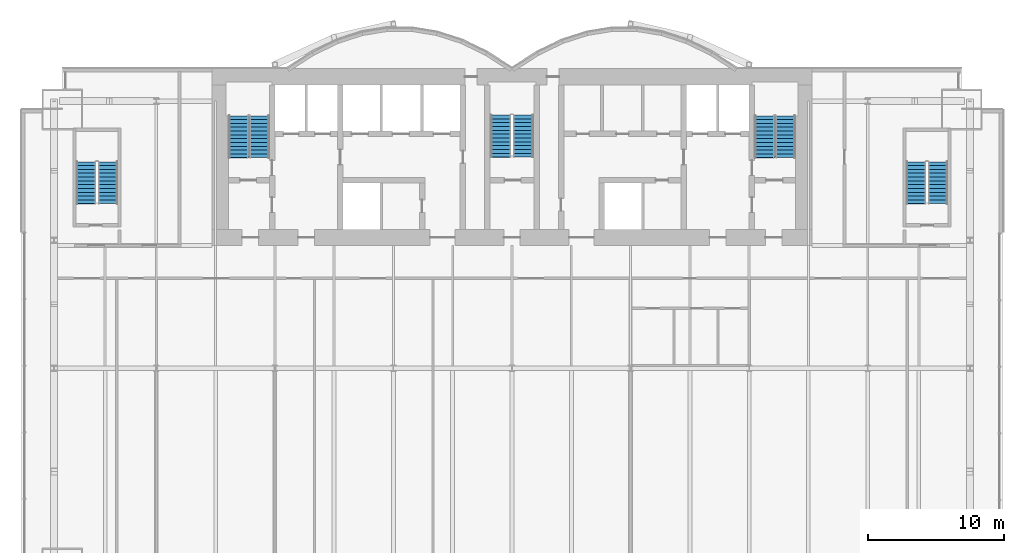
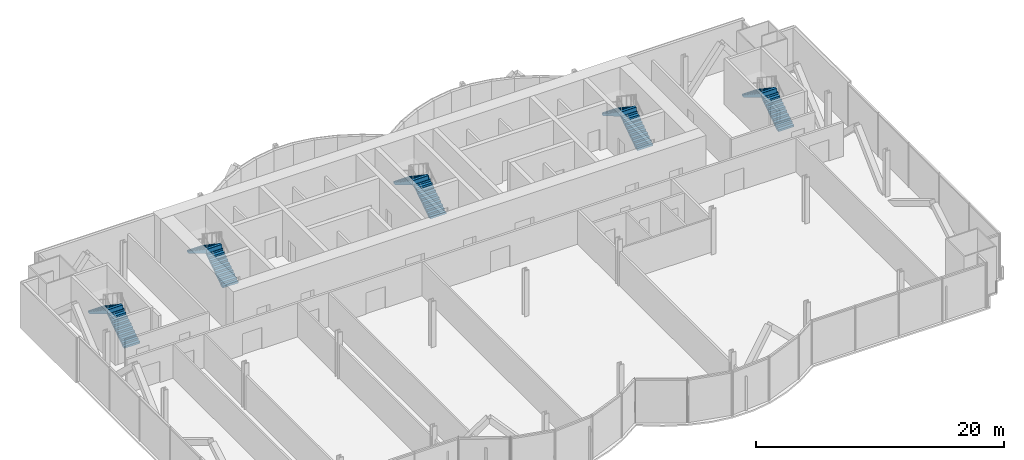
# One storey, part 18 of 21: 10 stair flights, 5 elements without a shape of their own.
"""IFC4 building model written with IfcOpenShell, lengths in metres."""

from ifc_helpers import new_model, si_unit, direction, frame, origin, place, context, subcontext, project, spatial, polyline, outline, extrude, material, type_object, element, aggregate, save


model = new_model("IFC4")

# Units and contexts
model_context = context("Model", 3, precision=1e-05, world=origin(), true_north=direction((0.0, 1.0)))
body_context = subcontext(model_context, "Body", "Model", "MODEL_VIEW")
ifc_project = project(units=[si_unit("LENGTHUNIT", "METRE"), si_unit("AREAUNIT", "SQUARE_METRE"), si_unit("VOLUMEUNIT", "CUBIC_METRE"), si_unit("PLANEANGLEUNIT", "RADIAN"), si_unit("MASSUNIT", "GRAM", prefix="KILO")], contexts=[model_context])

# Site, building, storey
site_placement = place(None, origin())
site = spatial("IfcSite", under=ifc_project, at=site_placement, CompositionType="ELEMENT")
building_placement = place(site_placement, origin())
building = spatial("IfcBuilding", under=site, at=building_placement, Name="Bicima Exchange Tower", CompositionType="ELEMENT")
storey_placement = place(building_placement, frame((0.0, 0.0, 75.5)))
storey = spatial("IfcBuildingStorey", under=building, at=storey_placement, Name="L15", CompositionType="ELEMENT", Elevation=75.5)

# Stair, stair flights
ifc_material = material(Name="Concrete C50/60", Category="concrete")
stair_type_1 = type_object("IfcStairType", Name="Exit stair", PredefinedType="HALF_TURN_STAIR", material=ifc_material)
stair_1_placement = place(storey_placement, origin())
stair_1 = element("IfcStair", 1, at=stair_1_placement, inside=storey, type_object=stair_type_1, Name="L15 West exit stair", PredefinedType="HALF_TURN_STAIR")
stair_flight_type_1 = type_object("IfcStairFlightType", Name="Stair flight RC", PredefinedType="STRAIGHT", material=ifc_material)
stair_flight_1_placement = place(storey_placement, frame((-18.52490234375, -6.550048828125, 0.0), z_axis=(0.0, 0.0, 1.0), x_axis=(0.0, 1.0, 0.0)))
stair_flight_1 = element("IfcStairFlight", 2, at=stair_flight_1_placement, type_object=stair_flight_type_1, Name="ST-W flight 1", NumberOfRisers=12, NumberOfTreads=11, PredefinedType="STRAIGHT", RiserHeight=0.1875, TreadLength=0.28, context=body_context, shape_type="SweptSolid", body=[
    extrude(outline(polyline([(0.0, 0.0), (0.0, 0.1875), (0.280029296875, 0.1875), (0.280029296875, 0.375), (0.56005859375, 0.375), (0.56005859375, 0.5625), (0.840087890625, 0.5625), (0.840087890625, 0.75), (1.1201171875, 0.75), (1.1201171875, 0.9375), (1.39990234375, 0.9375), (1.39990234375, 1.125), (1.679931640625, 1.125), (1.679931640625, 1.3125), (1.9599609375, 1.3125), (1.9599609375, 1.5), (2.239990234375, 1.5), (2.239990234375, 1.6875), (2.52001953125, 1.6875), (2.52001953125, 1.875), (2.800048828125, 1.875), (2.800048828125, 2.0625), (3.080078125, 2.0625), (3.080078125, 2.25), (3.080078125, 1.882080078125), (0.26953125, 0.0), (0.0, 0.0)])), frame((0.0, 0.72509765625, 0.0), z_axis=(0.0, -1.0, 0.0), x_axis=(1.0, 0.0, 0.0)), (0.0, 0.0, 1.0), 1.449951171875),
])
stair_flight_2_placement = place(storey_placement, frame((-20.074951171875, -3.469970703125, 2.25), z_axis=(0.0, 0.0, 1.0), x_axis=(0.0, -1.0, 0.0)))
stair_flight_2 = element("IfcStairFlight", 3, at=stair_flight_2_placement, type_object=stair_flight_type_1, Name="ST-W flight 2", NumberOfRisers=12, NumberOfTreads=11, PredefinedType="STRAIGHT", RiserHeight=0.1875, TreadLength=0.28, context=body_context, shape_type="SweptSolid", body=[
    extrude(outline(polyline([(0.0, 0.0), (0.0, 0.1875), (0.280029296875, 0.1875), (0.280029296875, 0.375), (0.56005859375, 0.375), (0.56005859375, 0.5625), (0.840087890625, 0.5625), (0.840087890625, 0.75), (1.1201171875, 0.75), (1.1201171875, 0.9375), (1.39990234375, 0.9375), (1.39990234375, 1.125), (1.679931640625, 1.125), (1.679931640625, 1.3125), (1.9599609375, 1.3125), (1.9599609375, 1.5), (2.239990234375, 1.5), (2.239990234375, 1.6875), (2.52001953125, 1.6875), (2.52001953125, 1.875), (2.800048828125, 1.875), (2.800048828125, 2.0625), (3.080078125, 2.0625), (3.080078125, 2.10400390625), (3.094970703125, 2.10400390625), (3.094970703125, 1.70458984375), (0.26953125, 0.0), (0.0, 0.0)])), frame((0.0, 0.72509765625, 0.0), z_axis=(0.0, -1.0, 0.0), x_axis=(1.0, 0.0, 0.0)), (0.0, 0.0, 1.0), 1.449951171875),
])
aggregate(stair_1, [stair_flight_1, stair_flight_2])

stair_2_placement = place(storey_placement, origin())
stair_2 = element("IfcStair", 4, at=stair_2_placement, inside=storey, type_object=stair_type_1, Name="L15 East exit stair", PredefinedType="HALF_TURN_STAIR")
stair_flight_3_placement = place(storey_placement, frame((20.074951171875, -6.550048828125, 0.0), z_axis=(0.0, 0.0, 1.0), x_axis=(0.0, 1.0, 0.0)))
stair_flight_3 = element("IfcStairFlight", 5, at=stair_flight_3_placement, type_object=stair_flight_type_1, Name="ST-E flight 1", NumberOfRisers=12, NumberOfTreads=11, PredefinedType="STRAIGHT", RiserHeight=0.1875, TreadLength=0.28, context=body_context, shape_type="SweptSolid", body=[
    extrude(outline(polyline([(0.0, 0.0), (0.0, 0.1875), (0.280029296875, 0.1875), (0.280029296875, 0.375), (0.56005859375, 0.375), (0.56005859375, 0.5625), (0.840087890625, 0.5625), (0.840087890625, 0.75), (1.1201171875, 0.75), (1.1201171875, 0.9375), (1.39990234375, 0.9375), (1.39990234375, 1.125), (1.679931640625, 1.125), (1.679931640625, 1.3125), (1.9599609375, 1.3125), (1.9599609375, 1.5), (2.239990234375, 1.5), (2.239990234375, 1.6875), (2.52001953125, 1.6875), (2.52001953125, 1.875), (2.800048828125, 1.875), (2.800048828125, 2.0625), (3.080078125, 2.0625), (3.080078125, 2.25), (3.080078125, 1.882080078125), (0.26953125, 0.0), (0.0, 0.0)])), frame((0.0, 0.72509765625, 0.0), z_axis=(0.0, -1.0, 0.0), x_axis=(1.0, 0.0, 0.0)), (0.0, 0.0, 1.0), 1.449951171875),
])
stair_flight_4_placement = place(storey_placement, frame((18.52490234375, -3.469970703125, 2.25), z_axis=(0.0, 0.0, 1.0), x_axis=(0.0, -1.0, 0.0)))
stair_flight_4 = element("IfcStairFlight", 6, at=stair_flight_4_placement, type_object=stair_flight_type_1, Name="ST-E flight 2", NumberOfRisers=12, NumberOfTreads=11, PredefinedType="STRAIGHT", RiserHeight=0.1875, TreadLength=0.28, context=body_context, shape_type="SweptSolid", body=[
    extrude(outline(polyline([(0.0, 0.0), (0.0, 0.1875), (0.280029296875, 0.1875), (0.280029296875, 0.375), (0.56005859375, 0.375), (0.56005859375, 0.5625), (0.840087890625, 0.5625), (0.840087890625, 0.75), (1.1201171875, 0.75), (1.1201171875, 0.9375), (1.39990234375, 0.9375), (1.39990234375, 1.125), (1.679931640625, 1.125), (1.679931640625, 1.3125), (1.9599609375, 1.3125), (1.9599609375, 1.5), (2.239990234375, 1.5), (2.239990234375, 1.6875), (2.52001953125, 1.6875), (2.52001953125, 1.875), (2.800048828125, 1.875), (2.800048828125, 2.0625), (3.080078125, 2.0625), (3.080078125, 2.10400390625), (3.094970703125, 2.10400390625), (3.094970703125, 1.70458984375), (0.26953125, 0.0), (0.0, 0.0)])), frame((0.0, 0.72509765625, 0.0), z_axis=(0.0, -1.0, 0.0), x_axis=(1.0, 0.0, 0.0)), (0.0, 0.0, 1.0), 1.449951171875),
])
aggregate(stair_2, [stair_flight_3, stair_flight_4])

stair_3_placement = place(storey_placement, origin())
stair_3 = element("IfcStair", 7, at=stair_3_placement, inside=storey, type_object=stair_type_1, Name="L15 West end exit stair", PredefinedType="HALF_TURN_STAIR")
stair_flight_5_placement = place(storey_placement, frame((-29.64990234375, -9.925048828125, 0.0), z_axis=(0.0, 0.0, 1.0), x_axis=(0.0, 1.0, 0.0)))
stair_flight_5 = element("IfcStairFlight", 8, at=stair_flight_5_placement, type_object=stair_flight_type_1, Name="ST-WW flight 1", NumberOfRisers=12, NumberOfTreads=11, PredefinedType="STRAIGHT", RiserHeight=0.1875, TreadLength=0.28, context=body_context, shape_type="SweptSolid", body=[
    extrude(outline(polyline([(0.0, 0.0), (0.0, 0.1875), (0.280029296875, 0.1875), (0.280029296875, 0.375), (0.56005859375, 0.375), (0.56005859375, 0.5625), (0.840087890625, 0.5625), (0.840087890625, 0.75), (1.1201171875, 0.75), (1.1201171875, 0.9375), (1.39990234375, 0.9375), (1.39990234375, 1.125), (1.679931640625, 1.125), (1.679931640625, 1.3125), (1.9599609375, 1.3125), (1.9599609375, 1.5), (2.239990234375, 1.5), (2.239990234375, 1.6875), (2.52001953125, 1.6875), (2.52001953125, 1.875), (2.800048828125, 1.875), (2.800048828125, 2.0625), (3.080078125, 2.0625), (3.080078125, 2.25), (3.080078125, 1.882080078125), (0.26953125, 0.0), (0.0, 0.0)])), frame((0.0, 0.72509765625, 0.0), z_axis=(0.0, -1.0, 0.0), x_axis=(1.0, 0.0, 0.0)), (0.0, 0.0, 1.0), 1.449951171875),
])
stair_flight_6_placement = place(storey_placement, frame((-31.25, -6.844970703125, 2.25), z_axis=(0.0, 0.0, 1.0), x_axis=(0.0, -1.0, 0.0)))
stair_flight_6 = element("IfcStairFlight", 9, at=stair_flight_6_placement, type_object=stair_flight_type_1, Name="ST-WW flight 2", NumberOfRisers=12, NumberOfTreads=11, PredefinedType="STRAIGHT", RiserHeight=0.1875, TreadLength=0.28, context=body_context, shape_type="SweptSolid", body=[
    extrude(outline(polyline([(0.0, 0.0), (0.0, 0.1875), (0.280029296875, 0.1875), (0.280029296875, 0.375), (0.56005859375, 0.375), (0.56005859375, 0.5625), (0.840087890625, 0.5625), (0.840087890625, 0.75), (1.1201171875, 0.75), (1.1201171875, 0.9375), (1.39990234375, 0.9375), (1.39990234375, 1.125), (1.679931640625, 1.125), (1.679931640625, 1.3125), (1.9599609375, 1.3125), (1.9599609375, 1.5), (2.239990234375, 1.5), (2.239990234375, 1.6875), (2.52001953125, 1.6875), (2.52001953125, 1.875), (2.800048828125, 1.875), (2.800048828125, 2.0625), (3.080078125, 2.0625), (3.080078125, 2.10400390625), (3.094970703125, 2.10400390625), (3.094970703125, 1.70458984375), (0.26953125, 0.0), (0.0, 0.0)])), frame((0.0, 0.72509765625, 0.0), z_axis=(0.0, -1.0, 0.0), x_axis=(1.0, 0.0, 0.0)), (0.0, 0.0, 1.0), 1.449951171875),
])
aggregate(stair_3, [stair_flight_5, stair_flight_6])

stair_4_placement = place(storey_placement, origin())
stair_4 = element("IfcStair", 10, at=stair_4_placement, inside=storey, type_object=stair_type_1, Name="L15 East end exit stair", PredefinedType="HALF_TURN_STAIR")
stair_flight_7_placement = place(storey_placement, frame((31.25, -9.925048828125, 0.0), z_axis=(0.0, 0.0, 1.0), x_axis=(0.0, 1.0, 0.0)))
stair_flight_7 = element("IfcStairFlight", 11, at=stair_flight_7_placement, type_object=stair_flight_type_1, Name="ST-EE flight 1", NumberOfRisers=12, NumberOfTreads=11, PredefinedType="STRAIGHT", RiserHeight=0.1875, TreadLength=0.28, context=body_context, shape_type="SweptSolid", body=[
    extrude(outline(polyline([(0.0, 0.0), (0.0, 0.1875), (0.280029296875, 0.1875), (0.280029296875, 0.375), (0.56005859375, 0.375), (0.56005859375, 0.5625), (0.840087890625, 0.5625), (0.840087890625, 0.75), (1.1201171875, 0.75), (1.1201171875, 0.9375), (1.39990234375, 0.9375), (1.39990234375, 1.125), (1.679931640625, 1.125), (1.679931640625, 1.3125), (1.9599609375, 1.3125), (1.9599609375, 1.5), (2.239990234375, 1.5), (2.239990234375, 1.6875), (2.52001953125, 1.6875), (2.52001953125, 1.875), (2.800048828125, 1.875), (2.800048828125, 2.0625), (3.080078125, 2.0625), (3.080078125, 2.25), (3.080078125, 1.882080078125), (0.26953125, 0.0), (0.0, 0.0)])), frame((0.0, 0.72509765625, 0.0), z_axis=(0.0, -1.0, 0.0), x_axis=(1.0, 0.0, 0.0)), (0.0, 0.0, 1.0), 1.449951171875),
])
stair_flight_8_placement = place(storey_placement, frame((29.64990234375, -6.844970703125, 2.25), z_axis=(0.0, 0.0, 1.0), x_axis=(0.0, -1.0, 0.0)))
stair_flight_8 = element("IfcStairFlight", 12, at=stair_flight_8_placement, type_object=stair_flight_type_1, Name="ST-EE flight 2", NumberOfRisers=12, NumberOfTreads=11, PredefinedType="STRAIGHT", RiserHeight=0.1875, TreadLength=0.28, context=body_context, shape_type="SweptSolid", body=[
    extrude(outline(polyline([(0.0, 0.0), (0.0, 0.1875), (0.280029296875, 0.1875), (0.280029296875, 0.375), (0.56005859375, 0.375), (0.56005859375, 0.5625), (0.840087890625, 0.5625), (0.840087890625, 0.75), (1.1201171875, 0.75), (1.1201171875, 0.9375), (1.39990234375, 0.9375), (1.39990234375, 1.125), (1.679931640625, 1.125), (1.679931640625, 1.3125), (1.9599609375, 1.3125), (1.9599609375, 1.5), (2.239990234375, 1.5), (2.239990234375, 1.6875), (2.52001953125, 1.6875), (2.52001953125, 1.875), (2.800048828125, 1.875), (2.800048828125, 2.0625), (3.080078125, 2.0625), (3.080078125, 2.10400390625), (3.094970703125, 2.10400390625), (3.094970703125, 1.70458984375), (0.26953125, 0.0), (0.0, 0.0)])), frame((0.0, 0.72509765625, 0.0), z_axis=(0.0, -1.0, 0.0), x_axis=(1.0, 0.0, 0.0)), (0.0, 0.0, 1.0), 1.449951171875),
])
aggregate(stair_4, [stair_flight_7, stair_flight_8])

stair_type_2 = type_object("IfcStairType", Name="Exit stair 1500", PredefinedType="HALF_TURN_STAIR", material=ifc_material)
stair_5_placement = place(storey_placement, origin())
stair_5 = element("IfcStair", 13, at=stair_5_placement, inside=storey, type_object=stair_type_2, Name="L15 Central exit stair", PredefinedType="HALF_TURN_STAIR")
stair_flight_type_2 = type_object("IfcStairFlightType", Name="Stair flight RC 1500", PredefinedType="STRAIGHT", material=ifc_material)
stair_flight_9_placement = place(storey_placement, frame((0.824951171875, -6.5, 0.0), z_axis=(0.0, 0.0, 1.0), x_axis=(0.0, 1.0, 0.0)))
stair_flight_9 = element("IfcStairFlight", 14, at=stair_flight_9_placement, type_object=stair_flight_type_2, Name="ST-C flight 1", NumberOfRisers=12, NumberOfTreads=11, PredefinedType="STRAIGHT", RiserHeight=0.1875, TreadLength=0.28, context=body_context, shape_type="SweptSolid", body=[
    extrude(outline(polyline([(0.0, 0.0), (0.0, 0.1875), (0.280029296875, 0.1875), (0.280029296875, 0.375), (0.56005859375, 0.375), (0.56005859375, 0.5625), (0.840087890625, 0.5625), (0.840087890625, 0.75), (1.1201171875, 0.75), (1.1201171875, 0.9375), (1.39990234375, 0.9375), (1.39990234375, 1.125), (1.679931640625, 1.125), (1.679931640625, 1.3125), (1.9599609375, 1.3125), (1.9599609375, 1.5), (2.239990234375, 1.5), (2.239990234375, 1.6875), (2.52001953125, 1.6875), (2.52001953125, 1.875), (2.800048828125, 1.875), (2.800048828125, 2.0625), (3.080078125, 2.0625), (3.080078125, 2.25), (3.080078125, 1.882080078125), (0.26953125, 0.0), (0.0, 0.0)])), frame((0.0, 0.75, 0.0), z_axis=(0.0, -1.0, 0.0), x_axis=(1.0, 0.0, 0.0)), (0.0, 0.0, 1.0), 1.5),
])
stair_flight_10_placement = place(storey_placement, frame((-0.824951171875, -3.419921875, 2.25), z_axis=(0.0, 0.0, 1.0), x_axis=(0.0, -1.0, 0.0)))
stair_flight_10 = element("IfcStairFlight", 15, at=stair_flight_10_placement, type_object=stair_flight_type_2, Name="ST-C flight 2", NumberOfRisers=12, NumberOfTreads=11, PredefinedType="STRAIGHT", RiserHeight=0.1875, TreadLength=0.28, context=body_context, shape_type="SweptSolid", body=[
    extrude(outline(polyline([(0.0, 0.0), (0.0, 0.1875), (0.280029296875, 0.1875), (0.280029296875, 0.375), (0.56005859375, 0.375), (0.56005859375, 0.5625), (0.840087890625, 0.5625), (0.840087890625, 0.75), (1.1201171875, 0.75), (1.1201171875, 0.9375), (1.39990234375, 0.9375), (1.39990234375, 1.125), (1.679931640625, 1.125), (1.679931640625, 1.3125), (1.9599609375, 1.3125), (1.9599609375, 1.5), (2.239990234375, 1.5), (2.239990234375, 1.6875), (2.52001953125, 1.6875), (2.52001953125, 1.875), (2.800048828125, 1.875), (2.800048828125, 2.0625), (3.080078125, 2.0625), (3.080078125, 2.10400390625), (3.094970703125, 2.10400390625), (3.094970703125, 1.70458984375), (0.26953125, 0.0), (0.0, 0.0)])), frame((0.0, 0.75, 0.0), z_axis=(0.0, -1.0, 0.0), x_axis=(1.0, 0.0, 0.0)), (0.0, 0.0, 1.0), 1.5),
])
aggregate(stair_5, [stair_flight_9, stair_flight_10])

save(model, "model.ifc")
